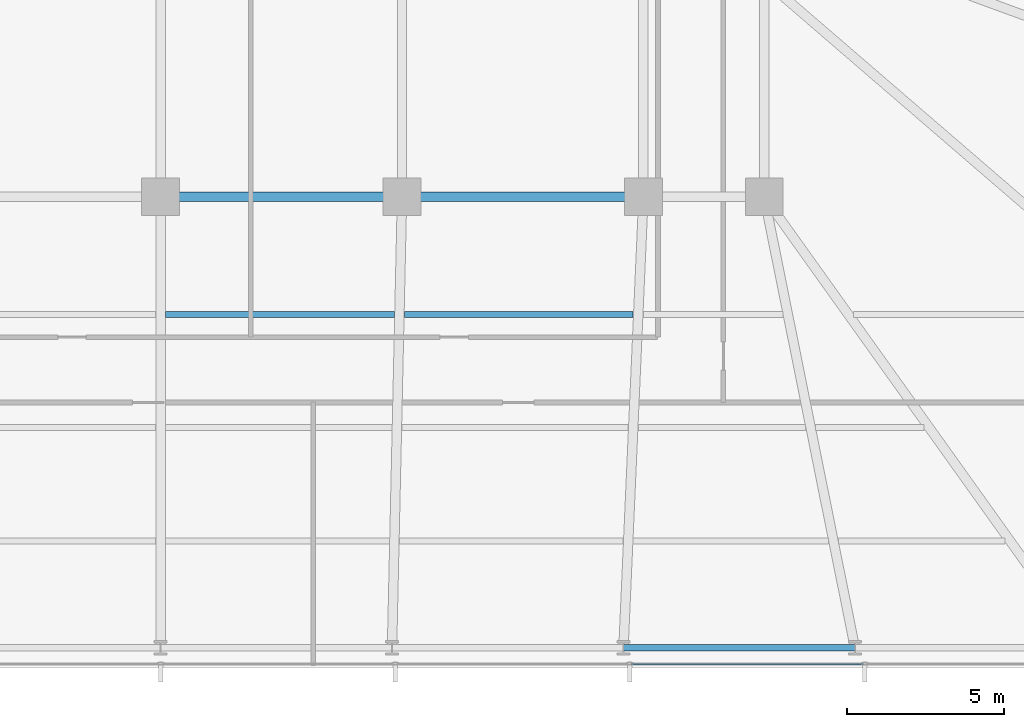
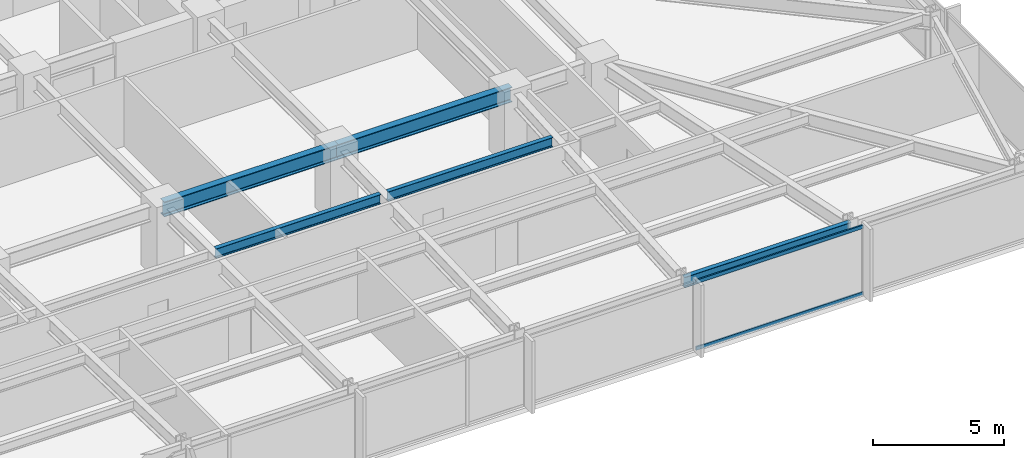
# One storey, part 13 of 32: 5 beams, 2 members, 1 element without a shape of its own.
"""IFC4 building model written with IfcOpenShell, lengths in metres."""

import ifcopenshell
import ifcopenshell.guid

model = None  # the IFC model being written
_history = None  # IfcOwnerHistory: only IFC2X3 demands one
_inside = {}  # id of a spatial element -> (the spatial element, [elements in it])
_under = {}  # id of a project, library or spatial element -> (it, [spatial elements below it])
_declared = {}  # id of a project -> (the project, [libraries it declares])
_typed = {}  # id of a type object -> (the type object, [elements of that type])
_made_of = {}  # id of a material, layer set ... -> (it, [elements and type objects made of it])


def new_model(schema):
    """Start an empty IFC model of exactly this schema.

    Asked for "IFC4X3", IfcOpenShell would pick the latest addendum, in which some entities
    have other attributes; the version numbers below select the first issue.
    IFC2X3 requires an IfcOwnerHistory on every rooted entity: one is made here for all.
    """
    global model, _history
    if schema == "IFC4X3":
        model = ifcopenshell.file(schema_version=(4, 3, 0, 0))
    else:
        model = ifcopenshell.file(schema=schema)
    _inside.clear()
    _under.clear()
    _declared.clear()
    _typed.clear()
    _made_of.clear()
    _history = None
    if model.schema == "IFC2X3":
        org = make("IfcOrganization", Name="unknown")
        user = make(
            "IfcPersonAndOrganization",
            ThePerson=make("IfcPerson", FamilyName="unknown"),
            TheOrganization=org,
        )
        app = make(
            "IfcApplication",
            ApplicationDeveloper=org,
            Version="unknown",
            ApplicationFullName="unknown",
            ApplicationIdentifier="unknown",
        )
        _history = make(
            "IfcOwnerHistory",
            OwningUser=user,
            OwningApplication=app,
            ChangeAction="ADDED",
            CreationDate=0,
        )
    return model


def make(cls, **values):
    """One entity of the class cls with the attributes given. An attribute that is None is left unset."""
    return model.create_entity(
        cls, **{name: value for name, value in values.items() if value is not None}
    )


def rooted(cls, **values):
    """An entity with a GlobalId (a new one), such as an element, a storey or a relation."""
    return make(cls, GlobalId=ifcopenshell.guid.new(), OwnerHistory=_history, **values)


def si_unit(unit_type, name, prefix=None):
    """IfcSIUnit, for example si_unit("LENGTHUNIT", "METRE", prefix="MILLI")."""
    return make("IfcSIUnit", UnitType=unit_type, Prefix=prefix, Name=name)


def assignment(units):
    """IfcUnitAssignment: the units of a project."""
    return None if units is None else make("IfcUnitAssignment", Units=units)


def point(xyz):
    """IfcCartesianPoint."""
    return None if xyz is None else make("IfcCartesianPoint", Coordinates=xyz)


def direction(xyz):
    """IfcDirection."""
    return None if xyz is None else make("IfcDirection", DirectionRatios=xyz)


def frame(location, z_axis=None, x_axis=None):
    """IfcAxis2Placement3D, a coordinate frame: its origin and axes. An axis left out is left unset."""
    return make(
        "IfcAxis2Placement3D",
        Location=point(location),
        Axis=direction(z_axis),
        RefDirection=direction(x_axis),
    )


def frame_2d(location, x_axis=None):
    """IfcAxis2Placement2D, a coordinate frame in the plane: its origin and x axis."""
    return make(
        "IfcAxis2Placement2D", Location=point(location), RefDirection=direction(x_axis)
    )


def origin():
    """The frame at (0, 0, 0) with its axes left unset."""
    return frame((0.0, 0.0, 0.0))


def origin_2d():
    """The frame at (0, 0) in the plane with its x axis left unset."""
    return frame_2d((0.0, 0.0))


def place(relative_to, where):
    """IfcLocalPlacement: puts the frame where relative to a parent placement (None: the world)."""
    return make(
        "IfcLocalPlacement", PlacementRelTo=relative_to, RelativePlacement=where
    )


def context(
    kind, dimensions, precision=None, world=None, true_north=None, identifier=None
):
    """IfcGeometricRepresentationContext, for example the 3D "Model" context."""
    return make(
        "IfcGeometricRepresentationContext",
        ContextIdentifier=identifier,
        ContextType=kind,
        CoordinateSpaceDimension=dimensions,
        Precision=precision,
        WorldCoordinateSystem=world,
        TrueNorth=true_north,
    )


def subcontext(parent, identifier, kind, view, scale=None):
    """IfcGeometricRepresentationSubContext, for example "Body" below "Model"."""
    return make(
        "IfcGeometricRepresentationSubContext",
        ContextIdentifier=identifier,
        ContextType=kind,
        ParentContext=parent,
        TargetScale=scale,
        TargetView=view,
    )


def project(units=None, contexts=None):
    """IfcProject with its units and contexts."""
    return rooted(
        "IfcProject",
        Name="project",
        RepresentationContexts=contexts,
        UnitsInContext=assignment(units),
    )


def spatial(cls, under=None, at=None, **own):
    """A site, building, storey or space (cls), placed at a placement, below another one or the project."""
    s = rooted(cls, ObjectPlacement=at, **own)
    if under is not None:
        _under.setdefault(under.id(), (under, []))[1].append(s)
    return s


def profile(cls, at=None, kind="AREA", **sizes):
    """A parametric profile (cls). Its sizes go by their IFC names, for example OverallWidth=200.0."""
    return make(cls, ProfileType=kind, Position=at, **sizes)


def hollow_rectangle(**sizes):
    """IfcRectangleHollowProfileDef."""
    return profile("IfcRectangleHollowProfileDef", **sizes)


def i_section(**sizes):
    """IfcIShapeProfileDef."""
    return profile("IfcIShapeProfileDef", **sizes)


def extrude(swept, where, along, depth):
    """IfcExtrudedAreaSolid: the profile swept, set in the frame where, extruded along a direction by depth."""
    return make(
        "IfcExtrudedAreaSolid",
        SweptArea=swept,
        Position=where,
        ExtrudedDirection=direction(along),
        Depth=depth,
    )


def shape(context_of_items, identifier, shape_type, items):
    """IfcShapeRepresentation: the items that make up one representation, for example the "Body"."""
    return make(
        "IfcShapeRepresentation",
        ContextOfItems=context_of_items,
        RepresentationIdentifier=identifier,
        RepresentationType=shape_type,
        Items=items,
    )


def material(Name=None, Category=None):
    """IfcMaterial."""
    return make("IfcMaterial", Name=Name, Category=Category)


def material_profile(
    of_material, cross_section, Name=None, Category=None, Priority=None
):
    """IfcMaterialProfile: a cross section and its material."""
    return make(
        "IfcMaterialProfile",
        Name=Name,
        Material=of_material,
        Profile=cross_section,
        Priority=Priority,
        Category=Category,
    )


def profile_set(profiles, Name=None, composite=None):
    """IfcMaterialProfileSet."""
    return make(
        "IfcMaterialProfileSet",
        Name=Name,
        MaterialProfiles=profiles,
        CompositeProfile=composite,
    )


def made_of(thing, what):
    """Note that an element or type object is made of a material, layer set ...; save() writes the relation."""
    if what is not None:
        _made_of.setdefault(what.id(), (what, []))[1].append(thing)
    return thing


def type_object(cls, material=None, **own):
    """A type object (cls), such as IfcWallType, which elements share."""
    return made_of(rooted(cls, **own), material)


def element(
    cls,
    number,
    at=None,
    inside=None,
    cuts=None,
    type_object=None,
    material=None,
    context=None,
    identifier="Body",
    shape_type=None,
    held_by="IfcProductDefinitionShape",
    body=None,
    shapes=None,
    **own,
):
    """One element of the class cls, such as IfcWall. Its Tag is "e" and its number.

    at: its placement. inside: the storey or other place that contains it. cuts: it is an
    opening in that element (IfcRelVoidsElement). A single representation is given by context,
    identifier, shape_type and body (its items); several are given by shapes. held_by: the class
    of the entity that holds the representations. save() writes the other relations.
    """
    e = rooted(cls, Tag="e%d" % number, ObjectPlacement=at, **own)
    if body is not None:
        shapes = [shape(context, identifier, shape_type, body)]
    if shapes is not None:
        e.Representation = make(held_by, Representations=shapes)
    if inside is not None:
        _inside.setdefault(inside.id(), (inside, []))[1].append(e)
    if cuts is not None:
        rooted(
            "IfcRelVoidsElement", RelatingBuildingElement=cuts, RelatedOpeningElement=e
        )
    if type_object is not None:
        _typed.setdefault(type_object.id(), (type_object, []))[1].append(e)
    return made_of(e, material)


def aggregate(whole, parts):
    """IfcRelAggregates: a whole, such as a stair, and the parts it consists of."""
    return rooted("IfcRelAggregates", RelatingObject=whole, RelatedObjects=parts)


def save(model, path):
    """Write the relations noted so far, then the file.

    IfcRelAggregates (storeys below a building ...), IfcRelContainedInSpatialStructure (elements
    in a storey), IfcRelDefinesByType, IfcRelAssociatesMaterial and IfcRelDeclares: one each for
    every whole, place, type object, material and project.
    """
    for whole, parts in _under.values():
        aggregate(whole, parts)
    for where, things in _inside.values():
        rooted(
            "IfcRelContainedInSpatialStructure",
            RelatedElements=things,
            RelatingStructure=where,
        )
    for kind, things in _typed.values():
        rooted("IfcRelDefinesByType", RelatedObjects=things, RelatingType=kind)
    for what, things in _made_of.values():
        rooted("IfcRelAssociatesMaterial", RelatedObjects=things, RelatingMaterial=what)
    for by, libraries in _declared.values():
        rooted("IfcRelDeclares", RelatingContext=by, RelatedDefinitions=libraries)
    model.write(path)


model = new_model("IFC4")

# Units and contexts
model_context = context("Model", 3, precision=1e-05, world=origin(), true_north=direction((0.0, 1.0)))
body_context = subcontext(model_context, "Body", "Model", "MODEL_VIEW")
ifc_project = project(units=[si_unit("LENGTHUNIT", "METRE"), si_unit("AREAUNIT", "SQUARE_METRE"), si_unit("VOLUMEUNIT", "CUBIC_METRE"), si_unit("PLANEANGLEUNIT", "RADIAN"), si_unit("MASSUNIT", "GRAM", prefix="KILO")], contexts=[model_context])

# Site, building, storey
site_placement = place(None, origin())
site = spatial("IfcSite", under=ifc_project, at=site_placement, CompositionType="ELEMENT")
building_placement = place(site_placement, origin())
building = spatial("IfcBuilding", under=site, at=building_placement, Name="Yelkora Congress Tower", CompositionType="ELEMENT")
storey_placement = place(building_placement, frame((0.0, 0.0, 33.800048828125)))
storey = spatial("IfcBuildingStorey", under=building, at=storey_placement, Name="L07", CompositionType="ELEMENT", Elevation=33.800048828125)

# Beams
ifc_material_1 = material(Name="Steel S355J2", Category="steel")
ifc_material_profile_1 = material_profile(ifc_material_1, i_section(OverallWidth=0.300048828125, OverallDepth=0.699951171875, WebThickness=0.01708984375, FlangeThickness=0.031982421875, FilletRadius=0.027099609375, at=origin_2d()), Name="HEB 700")
ifc_profile_set_1 = profile_set([ifc_material_profile_1], Name="Steel S355J2")
beam_type_1 = type_object("IfcBeamType", Name="BM-GIRD-HEB700", PredefinedType="BEAM", material=ifc_profile_set_1)
beam_1_placement = place(storey_placement, frame((38.39990234375, 25.199951171875, 2.829833984375), z_axis=(1.0, 0.0, 0.0), x_axis=(0.0, 1.0, 0.0)))
element("IfcBeam", 1, at=beam_1_placement, inside=storey, type_object=beam_type_1, Name="L07 Spine Grid D Girder 4", PredefinedType="BEAM", context=body_context, shape_type="SweptSolid", body=[
    extrude(i_section(OverallWidth=0.300048828125, OverallDepth=0.699951171875, WebThickness=0.01708984375, FlangeThickness=0.031982421875, FilletRadius=0.027099609375, at=origin_2d()), origin(), (0.0, 0.0, 1.0), 7.68017578125),
])
beam_2_placement = place(storey_placement, frame((46.080078125, 25.199951171875, 2.829833984375), z_axis=(1.0, 0.0, 0.0), x_axis=(0.0, 1.0, 0.0)))
element("IfcBeam", 2, at=beam_2_placement, inside=storey, type_object=beam_type_1, Name="L07 Spine Grid D Girder 5", PredefinedType="BEAM", context=body_context, shape_type="SweptSolid", body=[
    extrude(i_section(OverallWidth=0.300048828125, OverallDepth=0.699951171875, WebThickness=0.01708984375, FlangeThickness=0.031982421875, FilletRadius=0.027099609375, at=origin_2d()), origin(), (0.0, 0.0, 1.0), 7.679931640625),
])
ifc_material_profile_2 = material_profile(ifc_material_1, i_section(OverallWidth=0.18994140625, OverallDepth=0.449951171875, WebThickness=0.009521484375, FlangeThickness=0.0146484375, FilletRadius=0.02099609375, at=origin_2d()), Name="IPE 450")
ifc_profile_set_2 = profile_set([ifc_material_profile_2], Name="Steel S355J2")
beam_type_2 = type_object("IfcBeamType", Name="BM-JOIST-IPE450", PredefinedType="JOIST", material=ifc_profile_set_2)
beam_3_placement = place(storey_placement, frame((38.56005859375, 21.449951171875, 2.954833984375), z_axis=(1.0, 0.0, 0.0), x_axis=(0.0, 1.0, 0.0)))
element("IfcBeam", 3, at=beam_3_placement, inside=storey, type_object=beam_type_2, Name="L07 Composite Floor Joist 20", PredefinedType="JOIST", context=body_context, shape_type="SweptSolid", body=[
    extrude(i_section(OverallWidth=0.18994140625, OverallDepth=0.449951171875, WebThickness=0.009521484375, FlangeThickness=0.0146484375, FilletRadius=0.02099609375, at=origin_2d()), origin(), (0.0, 0.0, 1.0), 7.27685546875),
])
beam_4_placement = place(storey_placement, frame((46.156982421875, 21.449951171875, 2.954833984375), z_axis=(1.0, 0.0, 0.0), x_axis=(0.0, 1.0, 0.0)))
element("IfcBeam", 4, at=beam_4_placement, inside=storey, type_object=beam_type_2, Name="L07 Composite Floor Joist 21", PredefinedType="JOIST", context=body_context, shape_type="SweptSolid", body=[
    extrude(i_section(OverallWidth=0.18994140625, OverallDepth=0.449951171875, WebThickness=0.009521484375, FlangeThickness=0.0146484375, FilletRadius=0.02099609375, at=origin_2d()), origin(), (0.0, 0.0, 1.0), 7.277099609375),
])
ifc_material_profile_3 = material_profile(ifc_material_1, i_section(OverallWidth=0.199951171875, OverallDepth=0.5, WebThickness=0.01025390625, FlangeThickness=0.01611328125, FilletRadius=0.02099609375, at=origin_2d()), Name="IPE 500")
ifc_profile_set_3 = profile_set([ifc_material_profile_3], Name="Steel S355J2")
beam_type_3 = type_object("IfcBeamType", Name="BM-SPAN-IPE500", PredefinedType="SPANDREL", material=ifc_profile_set_3)
beam_5_placement = place(storey_placement, frame((53.125, 10.85009765625, 2.929931640625), z_axis=(1.0, 0.0, 0.0), x_axis=(0.0, 1.0, 0.0)))
element("IfcBeam", 5, at=beam_5_placement, inside=storey, type_object=beam_type_3, Name="L07 Perimeter Beam 8", PredefinedType="SPANDREL", context=body_context, shape_type="SweptSolid", body=[
    extrude(i_section(OverallWidth=0.199951171875, OverallDepth=0.5, WebThickness=0.01025390625, FlangeThickness=0.01611328125, FilletRadius=0.02099609375, at=origin_2d()), origin(), (0.0, 0.0, 1.0), 7.362548828125),
])

# Curtain wall, members
ifc_material_2 = material(Name="Anodised aluminium and insulated glass", Category="aluminium")
curtain_wall_type = type_object("IfcCurtainWallType", Name="CW-SYS-B1", PredefinedType="NOTDEFINED", material=ifc_material_2)
curtain_wall_placement = place(storey_placement, origin())
curtain_wall = element("IfcCurtainWall", 6, at=curtain_wall_placement, inside=storey, type_object=curtain_wall_type, Name="L07 Unitised Curtain Wall 20", PredefinedType="NOTDEFINED")
ifc_material_3 = material(Name="Anodised aluminium 6063-T6", Category="aluminium")
ifc_material_profile_4 = material_profile(ifc_material_3, hollow_rectangle(XDim=0.06494140625, YDim=0.159912109375, WallThickness=0.00390625, at=origin_2d()), Name="ALU 65x160x4")
ifc_profile_set_4 = profile_set([ifc_material_profile_4], Name="Anodised aluminium 6063-T6")
member_type = type_object("IfcMemberType", Name="MEM-TR-B1", PredefinedType="USERDEFINED", material=ifc_profile_set_4)
member_1_placement = place(storey_placement, frame((60.757568359375, 10.340087890625, 0.032470703125), z_axis=(-1.0, 0.0, 0.0), x_axis=(0.0, -1.0, 0.0)))
member_1 = element("IfcMember", 7, at=member_1_placement, type_object=member_type, Name="CW-B1 transom 2.1", ObjectType="TRANSOM", PredefinedType="USERDEFINED", context=body_context, shape_type="SweptSolid", body=[
    extrude(hollow_rectangle(XDim=0.06494140625, YDim=0.159912109375, WallThickness=0.00390625, at=origin_2d()), origin(), (0.0, 0.0, 1.0), 7.39013671875),
])
member_2_placement = place(storey_placement, frame((60.757568359375, 10.340087890625, 3.1474609375), z_axis=(-1.0, 0.0, 0.0), x_axis=(0.0, -1.0, 0.0)))
member_2 = element("IfcMember", 8, at=member_2_placement, type_object=member_type, Name="CW-B1 transom 2.2", ObjectType="TRANSOM", PredefinedType="USERDEFINED", context=body_context, shape_type="SweptSolid", body=[
    extrude(hollow_rectangle(XDim=0.06494140625, YDim=0.159912109375, WallThickness=0.00390625, at=origin_2d()), origin(), (0.0, 0.0, 1.0), 7.39013671875),
])
aggregate(curtain_wall, [member_1, member_2])

save(model, "model.ifc")
